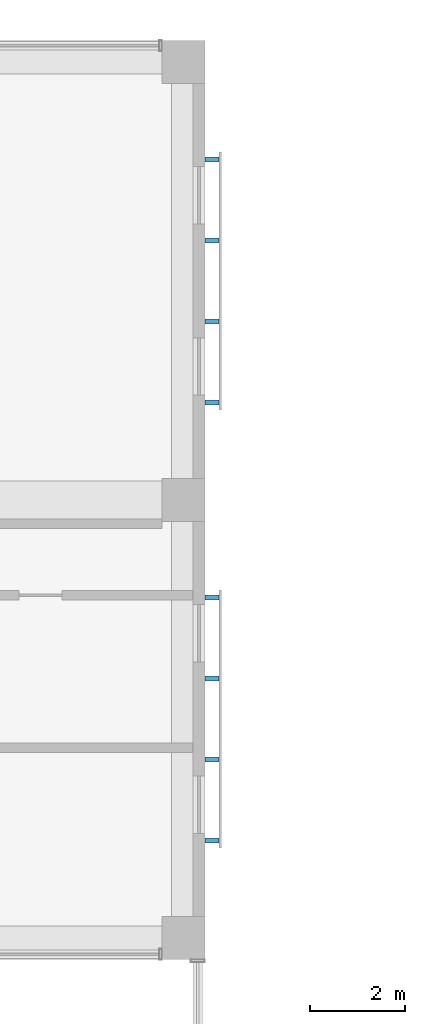
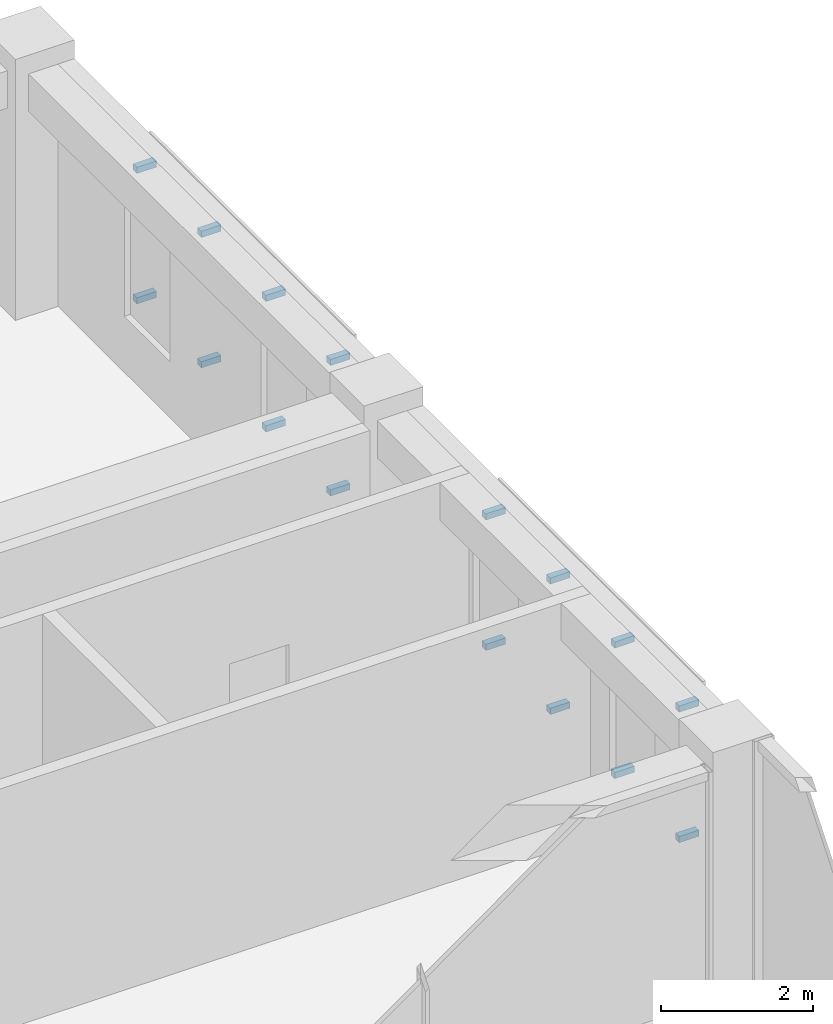
# One storey, part 30 of 36: 16 discrete accessories.
"""IFC4 building model written with IfcOpenShell, lengths in metres."""

from ifc_helpers import new_model, si_unit, direction, frame, origin, origin_2d, place, context, subcontext, project, spatial, rectangle, extrude, element, save


model = new_model("IFC4")

# Units and contexts
model_context = context("Model", 3, precision=1e-05, world=origin(), true_north=direction((0.0, 1.0)))
body_context = subcontext(model_context, "Body", "Model", "MODEL_VIEW")
ifc_project = project(units=[si_unit("LENGTHUNIT", "METRE"), si_unit("AREAUNIT", "SQUARE_METRE"), si_unit("VOLUMEUNIT", "CUBIC_METRE"), si_unit("PLANEANGLEUNIT", "RADIAN"), si_unit("MASSUNIT", "GRAM", prefix="KILO")], contexts=[model_context])

# Site, building, storey
site_placement = place(None, origin())
site = spatial("IfcSite", under=ifc_project, at=site_placement, CompositionType="ELEMENT")
building_placement = place(site_placement, origin())
building = spatial("IfcBuilding", under=site, at=building_placement, Name="Nzadi Deep Aquarium and Research Tower", CompositionType="ELEMENT")
storey_placement = place(building_placement, frame((0.0, 0.0, 36.10009765625)))
storey = spatial("IfcBuildingStorey", under=building, at=storey_placement, Name="L06", CompositionType="ELEMENT", Elevation=36.10009765625)

# Discrete accessories
for number, where, z_axis, x_axis, name in (
    (1, (48.60009765625, 29.64990234375, 0.949951171875), (0.0, 0.0, 1.0), (1.0, 0.0, 0.0), "Screen bracket L06"),
    (2, (48.60009765625, 29.64990234375, 3.0498046875), (0.0, 0.0, 1.0), (1.0, 0.0, 0.0), "Screen bracket L06"),
    (3, (48.60009765625, 31.35009765625, 0.949951171875), (0.0, 0.0, 1.0), (1.0, 0.0, 0.0), "Screen bracket L06"),
    (4, (48.60009765625, 31.35009765625, 3.0498046875), (0.0, 0.0, 1.0), (1.0, 0.0, 0.0), "Screen bracket L06"),
    (5, (48.60009765625, 33.050048828125, 0.949951171875), (0.0, 0.0, 1.0), (1.0, 0.0, 0.0), "Screen bracket L06"),
    (6, (48.60009765625, 33.050048828125, 3.0498046875), (0.0, 0.0, 1.0), (1.0, 0.0, 0.0), "Screen bracket L06"),
    (7, (48.60009765625, 34.75, 0.949951171875), (0.0, 0.0, 1.0), (1.0, 0.0, 0.0), "Screen bracket L06"),
    (8, (48.60009765625, 34.75, 3.0498046875), (0.0, 0.0, 1.0), (1.0, 0.0, 0.0), "Screen bracket L06"),
    (9, (48.60009765625, 38.85009765625, 0.949951171875), (0.0, 0.0, 1.0), (1.0, 0.0, 0.0), "Screen bracket L06"),
    (10, (48.60009765625, 38.85009765625, 3.0498046875), (0.0, 0.0, 1.0), (1.0, 0.0, 0.0), "Screen bracket L06"),
    (11, (48.60009765625, 40.550048828125, 0.949951171875), (0.0, 0.0, 1.0), (1.0, 0.0, 0.0), "Screen bracket L06"),
    (12, (48.60009765625, 40.550048828125, 3.0498046875), (0.0, 0.0, 1.0), (1.0, 0.0, 0.0), "Screen bracket L06"),
    (13, (48.60009765625, 42.25, 0.949951171875), (0.0, 0.0, 1.0), (1.0, 0.0, 0.0), "Screen bracket L06"),
    (14, (48.60009765625, 42.25, 3.0498046875), (0.0, 0.0, 1.0), (1.0, 0.0, 0.0), "Screen bracket L06"),
    (15, (48.60009765625, 43.949951171875, 0.949951171875), (0.0, 0.0, 1.0), (1.0, 0.0, 0.0), "Screen bracket L06"),
    (16, (48.60009765625, 43.949951171875, 3.0498046875), (0.0, 0.0, 1.0), (1.0, 0.0, 0.0), "Screen bracket L06"),
):
    element("IfcDiscreteAccessory", number, at=place(storey_placement, frame(where, z_axis=z_axis, x_axis=x_axis)), inside=storey, Name=name, PredefinedType="BRACKET", context=body_context, shape_type="SweptSolid", body=[
        extrude(rectangle(XDim=0.300048828125, YDim=0.10009765625, at=origin_2d()), origin(), (0.0, 0.0, 1.0), 0.10009765625),
    ])

save(model, "model.ifc")
